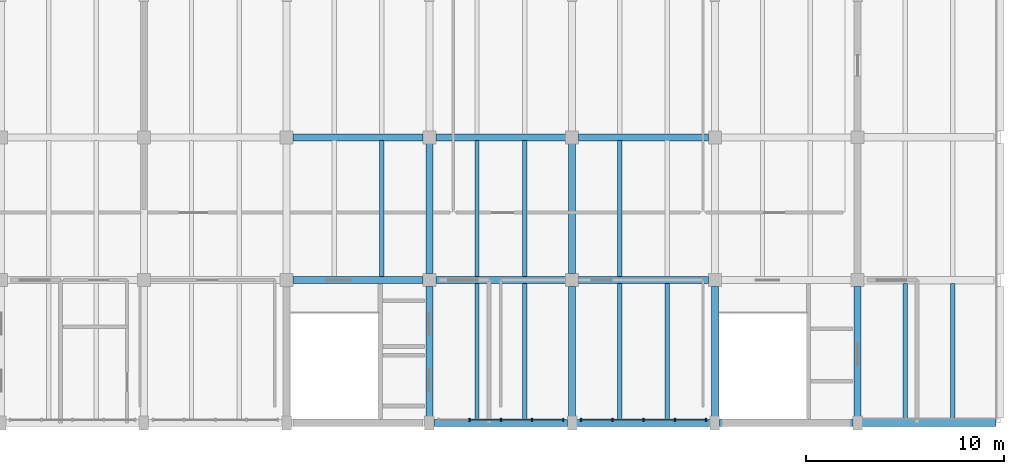
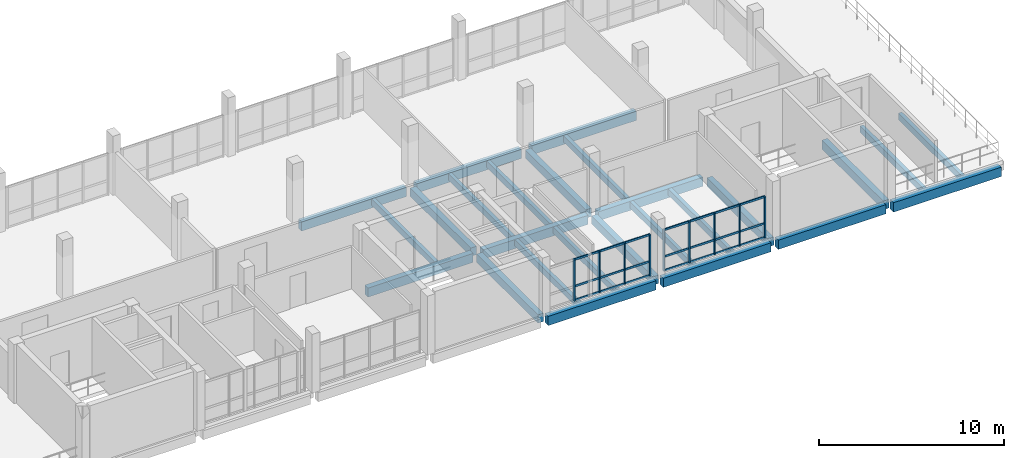
# One storey, part 4 of 10: 30 members, 26 beams, 2 elements without a shape of their own.
"""IFC4 building model written with IfcOpenShell, lengths in metres."""

from ifc_helpers import new_model, si_unit, direction, frame, origin, origin_2d, place, context, subcontext, project, spatial, rectangle, extrude, material, material_profile, profile_set, type_object, element, aggregate, save


model = new_model("IFC4")

# Units and contexts
model_context = context("Model", 3, precision=1e-05, world=origin(), true_north=direction((0.0, 1.0)))
body_context = subcontext(model_context, "Body", "Model", "MODEL_VIEW")
ifc_project = project(units=[si_unit("LENGTHUNIT", "METRE"), si_unit("AREAUNIT", "SQUARE_METRE"), si_unit("VOLUMEUNIT", "CUBIC_METRE"), si_unit("PLANEANGLEUNIT", "RADIAN"), si_unit("MASSUNIT", "GRAM", prefix="KILO")], contexts=[model_context])

# Site, building, storey
site_placement = place(None, origin())
site = spatial("IfcSite", under=ifc_project, at=site_placement, CompositionType="ELEMENT")
building_placement = place(site_placement, origin())
building = spatial("IfcBuilding", under=site, at=building_placement, Name="Qiaolan Assembly House", CompositionType="ELEMENT")
storey_placement = place(building_placement, frame((0.0, 0.0, 30.300048828125)))
storey = spatial("IfcBuildingStorey", under=building, at=storey_placement, Name="L07", CompositionType="ELEMENT", Elevation=30.300048828125)

# Beams
ifc_material_1 = material(Name="Concrete C40/50", Category="concrete")
ifc_material_profile_1 = material_profile(ifc_material_1, rectangle(XDim=0.35009765625, YDim=0.550048828125, at=origin_2d()), Name="RCB 350x550")
ifc_profile_set_1 = profile_set([ifc_material_profile_1], Name="Concrete C40/50")
beam_type_1 = type_object("IfcBeamType", Name="BM-RC-350x550", PredefinedType="BEAM", material=ifc_profile_set_1)
beam_1_placement = place(storey_placement, frame((72.0, 93.830078125, -0.505126953125), z_axis=(0.0, 1.0, 0.0), x_axis=(-1.0, 0.0, 0.0)))
element("IfcBeam", 1, at=beam_1_placement, inside=storey, type_object=beam_type_1, Name="GB-09 beam BMY-NW-L07-04-00", PredefinedType="BEAM", context=body_context, shape_type="SweptSolid", body=[
    extrude(rectangle(XDim=0.35009765625, YDim=0.550048828125, at=origin_2d()), origin(), (0.0, 0.0, 1.0), 6.64990234375),
])
beam_2_placement = place(storey_placement, frame((72.0, 101.1201171875, -0.505126953125), z_axis=(0.0, 1.0, 0.0), x_axis=(-1.0, 0.0, 0.0)))
element("IfcBeam", 2, at=beam_2_placement, inside=storey, type_object=beam_type_1, Name="GB-09 beam BMY-NW-L07-04-01", PredefinedType="BEAM", context=body_context, shape_type="SweptSolid", body=[
    extrude(rectangle(XDim=0.35009765625, YDim=0.550048828125, at=origin_2d()), origin(), (0.0, 0.0, 1.0), 6.559814453125),
])
beam_3_placement = place(storey_placement, frame((79.199951171875, 93.830078125, -0.505126953125), z_axis=(0.0, 1.0, 0.0), x_axis=(-1.0, 0.0, 0.0)))
element("IfcBeam", 3, at=beam_3_placement, inside=storey, type_object=beam_type_1, Name="GB-09 beam BMY-NW-L07-05-00", PredefinedType="BEAM", context=body_context, shape_type="SweptSolid", body=[
    extrude(rectangle(XDim=0.35009765625, YDim=0.550048828125, at=origin_2d()), origin(), (0.0, 0.0, 1.0), 6.64990234375),
])
beam_4_placement = place(storey_placement, frame((79.199951171875, 101.1201171875, -0.505126953125), z_axis=(0.0, 1.0, 0.0), x_axis=(-1.0, 0.0, 0.0)))
element("IfcBeam", 4, at=beam_4_placement, inside=storey, type_object=beam_type_1, Name="GB-09 beam BMY-NW-L07-05-01", PredefinedType="BEAM", context=body_context, shape_type="SweptSolid", body=[
    extrude(rectangle(XDim=0.35009765625, YDim=0.550048828125, at=origin_2d()), origin(), (0.0, 0.0, 1.0), 6.559814453125),
])
beam_5_placement = place(storey_placement, frame((86.39990234375, 93.830078125, -0.505126953125), z_axis=(0.0, 1.0, 0.0), x_axis=(-1.0, 0.0, 0.0)))
element("IfcBeam", 5, at=beam_5_placement, inside=storey, type_object=beam_type_1, Name="GB-09 beam BMY-NW-L07-06-00", PredefinedType="BEAM", context=body_context, shape_type="SweptSolid", body=[
    extrude(rectangle(XDim=0.35009765625, YDim=0.550048828125, at=origin_2d()), origin(), (0.0, 0.0, 1.0), 6.64990234375),
])
ifc_material_profile_2 = material_profile(ifc_material_1, rectangle(XDim=0.35009765625, YDim=0.60009765625, at=origin_2d()), Name="RCB 350x600")
ifc_profile_set_2 = profile_set([ifc_material_profile_2], Name="Concrete C40/50")
beam_type_2 = type_object("IfcBeamType", Name="BM-RC-350x600", PredefinedType="BEAM", material=ifc_profile_set_2)
for number, where, z_axis, x_axis, name in (
    (6, (72.22998046875, 93.60009765625, -0.530029296875), (1.0, 0.0, 0.0), (0.0, 1.0, 0.0), "GB-08 beam BMX-NW-L07-04-00"),
    (7, (79.429931640625, 93.60009765625, -0.530029296875), (1.0, 0.0, 0.0), (0.0, 1.0, 0.0), "GB-08 beam BMX-NW-L07-05-00"),
):
    element("IfcBeam", number, at=place(storey_placement, frame(where, z_axis=z_axis, x_axis=x_axis)), inside=storey, type_object=beam_type_2, Name=name, PredefinedType="BEAM", context=body_context, shape_type="SweptSolid", body=[
        extrude(rectangle(XDim=0.35009765625, YDim=0.60009765625, at=origin_2d()), origin(), (0.0, 0.0, 1.0), 6.739990234375),
    ])
beam_6_placement = place(storey_placement, frame((86.6298828125, 93.60009765625, -0.530029296875), z_axis=(1.0, 0.0, 0.0), x_axis=(0.0, 1.0, 0.0)))
element("IfcBeam", 8, at=beam_6_placement, inside=storey, type_object=beam_type_2, Name="GB-08 beam BMX-NW-L07-06-00", PredefinedType="BEAM", context=body_context, shape_type="SweptSolid", body=[
    extrude(rectangle(XDim=0.35009765625, YDim=0.60009765625, at=origin_2d()), origin(), (0.0, 0.0, 1.0), 6.740234375),
])
for number, where, z_axis, x_axis, name in (
    (9, (65.1201171875, 100.800048828125, -0.530029296875), (1.0, 0.0, 0.0), (0.0, 1.0, 0.0), "GB-08 beam BMX-NW-L07-03-01"),
    (10, (72.320068359375, 100.800048828125, -0.530029296875), (1.0, 0.0, 0.0), (0.0, 1.0, 0.0), "GB-08 beam BMX-NW-L07-04-01"),
):
    element("IfcBeam", number, at=place(storey_placement, frame(where, z_axis=z_axis, x_axis=x_axis)), inside=storey, type_object=beam_type_2, Name=name, PredefinedType="BEAM", context=body_context, shape_type="SweptSolid", body=[
        extrude(rectangle(XDim=0.35009765625, YDim=0.60009765625, at=origin_2d()), origin(), (0.0, 0.0, 1.0), 6.559814453125),
    ])
beam_7_placement = place(storey_placement, frame((79.52001953125, 100.800048828125, -0.530029296875), z_axis=(1.0, 0.0, 0.0), x_axis=(0.0, 1.0, 0.0)))
element("IfcBeam", 11, at=beam_7_placement, inside=storey, type_object=beam_type_2, Name="GB-08 beam BMX-NW-L07-05-01", PredefinedType="BEAM", context=body_context, shape_type="SweptSolid", body=[
    extrude(rectangle(XDim=0.35009765625, YDim=0.60009765625, at=origin_2d()), origin(), (0.0, 0.0, 1.0), 6.56005859375),
])
for number, where, z_axis, x_axis, name in (
    (12, (65.1201171875, 108.0, -0.530029296875), (1.0, 0.0, 0.0), (0.0, 1.0, 0.0), "GB-08 beam BMX-NW-L07-03-02"),
    (13, (72.320068359375, 108.0, -0.530029296875), (1.0, 0.0, 0.0), (0.0, 1.0, 0.0), "GB-08 beam BMX-NW-L07-04-02"),
):
    element("IfcBeam", number, at=place(storey_placement, frame(where, z_axis=z_axis, x_axis=x_axis)), inside=storey, type_object=beam_type_2, Name=name, PredefinedType="BEAM", context=body_context, shape_type="SweptSolid", body=[
        extrude(rectangle(XDim=0.35009765625, YDim=0.60009765625, at=origin_2d()), origin(), (0.0, 0.0, 1.0), 6.559814453125),
    ])
beam_8_placement = place(storey_placement, frame((79.52001953125, 108.0, -0.530029296875), z_axis=(1.0, 0.0, 0.0), x_axis=(0.0, 1.0, 0.0)))
element("IfcBeam", 14, at=beam_8_placement, inside=storey, type_object=beam_type_2, Name="GB-08 beam BMX-NW-L07-05-02", PredefinedType="BEAM", context=body_context, shape_type="SweptSolid", body=[
    extrude(rectangle(XDim=0.35009765625, YDim=0.60009765625, at=origin_2d()), origin(), (0.0, 0.0, 1.0), 6.56005859375),
])
ifc_material_profile_3 = material_profile(ifc_material_1, rectangle(XDim=0.360107421875, YDim=0.580078125, at=origin_2d()), Name="RCB 360x580")
ifc_profile_set_3 = profile_set([ifc_material_profile_3], Name="Concrete C40/50")
beam_type_3 = type_object("IfcBeamType", Name="BM-RC-360x580", PredefinedType="BEAM", material=ifc_profile_set_3)
beam_9_placement = place(storey_placement, frame((93.60009765625, 93.830078125, -0.550048828125), z_axis=(0.0, 1.0, 0.0), x_axis=(-1.0, 0.0, 0.0)))
element("IfcBeam", 15, at=beam_9_placement, inside=storey, type_object=beam_type_3, Name="GB-16 beam BMY-NWTE-L07-00-00", PredefinedType="BEAM", context=body_context, shape_type="SweptSolid", body=[
    extrude(rectangle(XDim=0.360107421875, YDim=0.580078125, at=origin_2d()), origin(), (0.0, 0.0, 1.0), 6.655029296875),
])
ifc_material_profile_4 = material_profile(ifc_material_1, rectangle(XDim=0.3798828125, YDim=0.6201171875, at=origin_2d()), Name="RCB 380x620")
ifc_profile_set_4 = profile_set([ifc_material_profile_4], Name="Concrete C40/50")
beam_type_4 = type_object("IfcBeamType", Name="BM-RC-380x620", PredefinedType="BEAM", material=ifc_profile_set_4)
beam_10_placement = place(storey_placement, frame((93.830078125, 93.60009765625, -0.570068359375), z_axis=(1.0, 0.0, 0.0), x_axis=(0.0, 1.0, 0.0)))
element("IfcBeam", 16, at=beam_10_placement, inside=storey, type_object=beam_type_4, Name="GB-13 beam BMX-NWTE-L07-00-00", PredefinedType="BEAM", context=body_context, shape_type="SweptSolid", body=[
    extrude(rectangle(XDim=0.3798828125, YDim=0.6201171875, at=origin_2d()), origin(), (0.0, 0.0, 1.0), 6.739990234375),
])

# Curtain wall, members
ifc_material_2 = material(Name="Anodised bronze aluminium", Category="aluminium")
curtain_wall_type = type_object("IfcCurtainWallType", Name="CW-ATTIC-390", PredefinedType="NOTDEFINED", material=ifc_material_2)
curtain_wall_1_placement = place(storey_placement, origin())
curtain_wall_1 = element("IfcCurtainWall", 17, at=curtain_wall_1_placement, inside=storey, type_object=curtain_wall_type, Name="CW-04 NW Attic South glazed colonnade bay 5", PredefinedType="NOTDEFINED")
ifc_material_profile_5 = material_profile(ifc_material_2, rectangle(XDim=0.073974609375, YDim=0.1650390625, at=origin_2d()), Name="MUL 74x165")
ifc_profile_set_5 = profile_set([ifc_material_profile_5], Name="Anodised bronze aluminium")
member_type_1 = type_object("IfcMemberType", Name="CW-ATTIC-390-MUL", PredefinedType="MULLION", material=ifc_profile_set_5)
member_1_placement = place(storey_placement, frame((74.02490234375, 93.75, 0.0), z_axis=(0.0, 0.0, 1.0), x_axis=(1.0, 0.0, 0.0)))
member_1 = element("IfcMember", 18, at=member_1_placement, type_object=member_type_1, Name="ML-05 mullion CW-NW-ATTIC-S-04-2", PredefinedType="MULLION", context=body_context, shape_type="SweptSolid", body=[
    extrude(rectangle(XDim=0.073974609375, YDim=0.1650390625, at=origin_2d()), origin(), (0.0, 0.0, 1.0), 2.739990234375),
])
member_2_placement = place(storey_placement, frame((75.60009765625, 93.75, 0.0), z_axis=(0.0, 0.0, 1.0), x_axis=(1.0, 0.0, 0.0)))
member_2 = element("IfcMember", 19, at=member_2_placement, type_object=member_type_1, Name="ML-05 mullion CW-NW-ATTIC-S-04-3", PredefinedType="MULLION", context=body_context, shape_type="SweptSolid", body=[
    extrude(rectangle(XDim=0.073974609375, YDim=0.1650390625, at=origin_2d()), origin(), (0.0, 0.0, 1.0), 2.739990234375),
])
member_3_placement = place(storey_placement, frame((77.175048828125, 93.75, 0.0), z_axis=(0.0, 0.0, 1.0), x_axis=(1.0, 0.0, 0.0)))
member_3 = element("IfcMember", 20, at=member_3_placement, type_object=member_type_1, Name="ML-05 mullion CW-NW-ATTIC-S-04-4", PredefinedType="MULLION", context=body_context, shape_type="SweptSolid", body=[
    extrude(rectangle(XDim=0.073974609375, YDim=0.1650390625, at=origin_2d()), origin(), (0.0, 0.0, 1.0), 2.739990234375),
])
member_4_placement = place(storey_placement, frame((78.75, 93.75, 0.0), z_axis=(0.0, 0.0, 1.0), x_axis=(1.0, 0.0, 0.0)))
member_4 = element("IfcMember", 21, at=member_4_placement, type_object=member_type_1, Name="ML-05 mullion CW-NW-ATTIC-S-04-5", PredefinedType="MULLION", context=body_context, shape_type="SweptSolid", body=[
    extrude(rectangle(XDim=0.073974609375, YDim=0.1650390625, at=origin_2d()), origin(), (0.0, 0.0, 1.0), 2.739990234375),
])

curtain_wall_2_placement = place(storey_placement, origin())
curtain_wall_2 = element("IfcCurtainWall", 22, at=curtain_wall_2_placement, inside=storey, type_object=curtain_wall_type, Name="CW-04 NW Attic South glazed colonnade bay 6", PredefinedType="NOTDEFINED")
member_5_placement = place(storey_placement, frame((79.64990234375, 93.75, 0.0), z_axis=(0.0, 0.0, 1.0), x_axis=(1.0, 0.0, 0.0)))
member_5 = element("IfcMember", 23, at=member_5_placement, type_object=member_type_1, Name="ML-05 mullion CW-NW-ATTIC-S-05-1", PredefinedType="MULLION", context=body_context, shape_type="SweptSolid", body=[
    extrude(rectangle(XDim=0.073974609375, YDim=0.1650390625, at=origin_2d()), origin(), (0.0, 0.0, 1.0), 2.739990234375),
])
member_6_placement = place(storey_placement, frame((81.22509765625, 93.75, 0.0), z_axis=(0.0, 0.0, 1.0), x_axis=(1.0, 0.0, 0.0)))
member_6 = element("IfcMember", 24, at=member_6_placement, type_object=member_type_1, Name="ML-05 mullion CW-NW-ATTIC-S-05-2", PredefinedType="MULLION", context=body_context, shape_type="SweptSolid", body=[
    extrude(rectangle(XDim=0.073974609375, YDim=0.1650390625, at=origin_2d()), origin(), (0.0, 0.0, 1.0), 2.739990234375),
])
member_7_placement = place(storey_placement, frame((82.800048828125, 93.75, 0.0), z_axis=(0.0, 0.0, 1.0), x_axis=(1.0, 0.0, 0.0)))
member_7 = element("IfcMember", 25, at=member_7_placement, type_object=member_type_1, Name="ML-05 mullion CW-NW-ATTIC-S-05-3", PredefinedType="MULLION", context=body_context, shape_type="SweptSolid", body=[
    extrude(rectangle(XDim=0.073974609375, YDim=0.1650390625, at=origin_2d()), origin(), (0.0, 0.0, 1.0), 2.739990234375),
])
member_8_placement = place(storey_placement, frame((84.375, 93.75, 0.0), z_axis=(0.0, 0.0, 1.0), x_axis=(1.0, 0.0, 0.0)))
member_8 = element("IfcMember", 26, at=member_8_placement, type_object=member_type_1, Name="ML-05 mullion CW-NW-ATTIC-S-05-4", PredefinedType="MULLION", context=body_context, shape_type="SweptSolid", body=[
    extrude(rectangle(XDim=0.073974609375, YDim=0.1650390625, at=origin_2d()), origin(), (0.0, 0.0, 1.0), 2.739990234375),
])
member_9_placement = place(storey_placement, frame((85.949951171875, 93.75, 0.0), z_axis=(0.0, 0.0, 1.0), x_axis=(1.0, 0.0, 0.0)))
member_9 = element("IfcMember", 27, at=member_9_placement, type_object=member_type_1, Name="ML-05 mullion CW-NW-ATTIC-S-05-5", PredefinedType="MULLION", context=body_context, shape_type="SweptSolid", body=[
    extrude(rectangle(XDim=0.073974609375, YDim=0.1650390625, at=origin_2d()), origin(), (0.0, 0.0, 1.0), 2.739990234375),
])

# Member
ifc_material_profile_6 = material_profile(ifc_material_2, rectangle(XDim=0.06494140625, YDim=0.1298828125, at=origin_2d()), Name="TRN 65x130")
ifc_profile_set_6 = profile_set([ifc_material_profile_6], Name="Anodised bronze aluminium")
member_type_2 = type_object("IfcMemberType", Name="CW-ATTIC-390-TRN", PredefinedType="USERDEFINED", material=ifc_profile_set_6)
member_10_placement = place(storey_placement, frame((74.06201171875, 93.75, 0.030029296875), z_axis=(1.0, 0.0, 0.0), x_axis=(0.0, 1.0, 0.0)))
member_10 = element("IfcMember", 28, at=member_10_placement, type_object=member_type_2, Name="TR-05 transom CW-NW-ATTIC-S-04-2-1", ObjectType="TRANSOM", PredefinedType="USERDEFINED", context=body_context, shape_type="SweptSolid", body=[
    extrude(rectangle(XDim=0.06494140625, YDim=0.1298828125, at=origin_2d()), origin(), (0.0, 0.0, 1.0), 1.5009765625),
])

member_11_placement = place(storey_placement, frame((74.06201171875, 93.75, 0.949951171875), z_axis=(1.0, 0.0, 0.0), x_axis=(0.0, 1.0, 0.0)))
member_11 = element("IfcMember", 29, at=member_11_placement, type_object=member_type_2, Name="TR-05 transom CW-NW-ATTIC-S-04-2-2", ObjectType="TRANSOM", PredefinedType="USERDEFINED", context=body_context, shape_type="SweptSolid", body=[
    extrude(rectangle(XDim=0.06494140625, YDim=0.1298828125, at=origin_2d()), origin(), (0.0, 0.0, 1.0), 1.5009765625),
])

member_12_placement = place(storey_placement, frame((74.06201171875, 93.75, 2.7099609375), z_axis=(1.0, 0.0, 0.0), x_axis=(0.0, 1.0, 0.0)))
member_12 = element("IfcMember", 30, at=member_12_placement, type_object=member_type_2, Name="TR-05 transom CW-NW-ATTIC-S-04-2-3", ObjectType="TRANSOM", PredefinedType="USERDEFINED", context=body_context, shape_type="SweptSolid", body=[
    extrude(rectangle(XDim=0.06494140625, YDim=0.1298828125, at=origin_2d()), origin(), (0.0, 0.0, 1.0), 1.5009765625),
])

member_13_placement = place(storey_placement, frame((75.636962890625, 93.75, 0.030029296875), z_axis=(1.0, 0.0, 0.0), x_axis=(0.0, 1.0, 0.0)))
member_13 = element("IfcMember", 31, at=member_13_placement, type_object=member_type_2, Name="TR-05 transom CW-NW-ATTIC-S-04-3-1", ObjectType="TRANSOM", PredefinedType="USERDEFINED", context=body_context, shape_type="SweptSolid", body=[
    extrude(rectangle(XDim=0.06494140625, YDim=0.1298828125, at=origin_2d()), origin(), (0.0, 0.0, 1.0), 1.5009765625),
])

member_14_placement = place(storey_placement, frame((75.636962890625, 93.75, 0.949951171875), z_axis=(1.0, 0.0, 0.0), x_axis=(0.0, 1.0, 0.0)))
member_14 = element("IfcMember", 32, at=member_14_placement, type_object=member_type_2, Name="TR-05 transom CW-NW-ATTIC-S-04-3-2", ObjectType="TRANSOM", PredefinedType="USERDEFINED", context=body_context, shape_type="SweptSolid", body=[
    extrude(rectangle(XDim=0.06494140625, YDim=0.1298828125, at=origin_2d()), origin(), (0.0, 0.0, 1.0), 1.5009765625),
])

member_15_placement = place(storey_placement, frame((75.636962890625, 93.75, 2.7099609375), z_axis=(1.0, 0.0, 0.0), x_axis=(0.0, 1.0, 0.0)))
member_15 = element("IfcMember", 33, at=member_15_placement, type_object=member_type_2, Name="TR-05 transom CW-NW-ATTIC-S-04-3-3", ObjectType="TRANSOM", PredefinedType="USERDEFINED", context=body_context, shape_type="SweptSolid", body=[
    extrude(rectangle(XDim=0.06494140625, YDim=0.1298828125, at=origin_2d()), origin(), (0.0, 0.0, 1.0), 1.5009765625),
])

member_16_placement = place(storey_placement, frame((77.2119140625, 93.75, 0.030029296875), z_axis=(1.0, 0.0, 0.0), x_axis=(0.0, 1.0, 0.0)))
member_16 = element("IfcMember", 34, at=member_16_placement, type_object=member_type_2, Name="TR-05 transom CW-NW-ATTIC-S-04-4-1", ObjectType="TRANSOM", PredefinedType="USERDEFINED", context=body_context, shape_type="SweptSolid", body=[
    extrude(rectangle(XDim=0.06494140625, YDim=0.1298828125, at=origin_2d()), origin(), (0.0, 0.0, 1.0), 1.5009765625),
])

member_17_placement = place(storey_placement, frame((77.2119140625, 93.75, 0.949951171875), z_axis=(1.0, 0.0, 0.0), x_axis=(0.0, 1.0, 0.0)))
member_17 = element("IfcMember", 35, at=member_17_placement, type_object=member_type_2, Name="TR-05 transom CW-NW-ATTIC-S-04-4-2", ObjectType="TRANSOM", PredefinedType="USERDEFINED", context=body_context, shape_type="SweptSolid", body=[
    extrude(rectangle(XDim=0.06494140625, YDim=0.1298828125, at=origin_2d()), origin(), (0.0, 0.0, 1.0), 1.5009765625),
])

member_18_placement = place(storey_placement, frame((77.2119140625, 93.75, 2.7099609375), z_axis=(1.0, 0.0, 0.0), x_axis=(0.0, 1.0, 0.0)))
member_18 = element("IfcMember", 36, at=member_18_placement, type_object=member_type_2, Name="TR-05 transom CW-NW-ATTIC-S-04-4-3", ObjectType="TRANSOM", PredefinedType="USERDEFINED", context=body_context, shape_type="SweptSolid", body=[
    extrude(rectangle(XDim=0.06494140625, YDim=0.1298828125, at=origin_2d()), origin(), (0.0, 0.0, 1.0), 1.5009765625),
])

aggregate(curtain_wall_1, [member_1, member_2, member_3, member_4, member_10, member_11, member_12, member_13, member_14, member_15, member_16, member_17, member_18])

member_19_placement = place(storey_placement, frame((79.68701171875, 93.75, 0.030029296875), z_axis=(1.0, 0.0, 0.0), x_axis=(0.0, 1.0, 0.0)))
member_19 = element("IfcMember", 37, at=member_19_placement, type_object=member_type_2, Name="TR-05 transom CW-NW-ATTIC-S-05-1-1", ObjectType="TRANSOM", PredefinedType="USERDEFINED", context=body_context, shape_type="SweptSolid", body=[
    extrude(rectangle(XDim=0.06494140625, YDim=0.1298828125, at=origin_2d()), origin(), (0.0, 0.0, 1.0), 1.5009765625),
])

member_20_placement = place(storey_placement, frame((79.68701171875, 93.75, 0.949951171875), z_axis=(1.0, 0.0, 0.0), x_axis=(0.0, 1.0, 0.0)))
member_20 = element("IfcMember", 38, at=member_20_placement, type_object=member_type_2, Name="TR-05 transom CW-NW-ATTIC-S-05-1-2", ObjectType="TRANSOM", PredefinedType="USERDEFINED", context=body_context, shape_type="SweptSolid", body=[
    extrude(rectangle(XDim=0.06494140625, YDim=0.1298828125, at=origin_2d()), origin(), (0.0, 0.0, 1.0), 1.5009765625),
])

member_21_placement = place(storey_placement, frame((79.68701171875, 93.75, 2.7099609375), z_axis=(1.0, 0.0, 0.0), x_axis=(0.0, 1.0, 0.0)))
member_21 = element("IfcMember", 39, at=member_21_placement, type_object=member_type_2, Name="TR-05 transom CW-NW-ATTIC-S-05-1-3", ObjectType="TRANSOM", PredefinedType="USERDEFINED", context=body_context, shape_type="SweptSolid", body=[
    extrude(rectangle(XDim=0.06494140625, YDim=0.1298828125, at=origin_2d()), origin(), (0.0, 0.0, 1.0), 1.5009765625),
])

member_22_placement = place(storey_placement, frame((81.261962890625, 93.75, 0.030029296875), z_axis=(1.0, 0.0, 0.0), x_axis=(0.0, 1.0, 0.0)))
member_22 = element("IfcMember", 40, at=member_22_placement, type_object=member_type_2, Name="TR-05 transom CW-NW-ATTIC-S-05-2-1", ObjectType="TRANSOM", PredefinedType="USERDEFINED", context=body_context, shape_type="SweptSolid", body=[
    extrude(rectangle(XDim=0.06494140625, YDim=0.1298828125, at=origin_2d()), origin(), (0.0, 0.0, 1.0), 1.5009765625),
])

member_23_placement = place(storey_placement, frame((81.261962890625, 93.75, 0.949951171875), z_axis=(1.0, 0.0, 0.0), x_axis=(0.0, 1.0, 0.0)))
member_23 = element("IfcMember", 41, at=member_23_placement, type_object=member_type_2, Name="TR-05 transom CW-NW-ATTIC-S-05-2-2", ObjectType="TRANSOM", PredefinedType="USERDEFINED", context=body_context, shape_type="SweptSolid", body=[
    extrude(rectangle(XDim=0.06494140625, YDim=0.1298828125, at=origin_2d()), origin(), (0.0, 0.0, 1.0), 1.5009765625),
])

member_24_placement = place(storey_placement, frame((81.261962890625, 93.75, 2.7099609375), z_axis=(1.0, 0.0, 0.0), x_axis=(0.0, 1.0, 0.0)))
member_24 = element("IfcMember", 42, at=member_24_placement, type_object=member_type_2, Name="TR-05 transom CW-NW-ATTIC-S-05-2-3", ObjectType="TRANSOM", PredefinedType="USERDEFINED", context=body_context, shape_type="SweptSolid", body=[
    extrude(rectangle(XDim=0.06494140625, YDim=0.1298828125, at=origin_2d()), origin(), (0.0, 0.0, 1.0), 1.5009765625),
])

member_25_placement = place(storey_placement, frame((82.8369140625, 93.75, 0.030029296875), z_axis=(1.0, 0.0, 0.0), x_axis=(0.0, 1.0, 0.0)))
member_25 = element("IfcMember", 43, at=member_25_placement, type_object=member_type_2, Name="TR-05 transom CW-NW-ATTIC-S-05-3-1", ObjectType="TRANSOM", PredefinedType="USERDEFINED", context=body_context, shape_type="SweptSolid", body=[
    extrude(rectangle(XDim=0.06494140625, YDim=0.1298828125, at=origin_2d()), origin(), (0.0, 0.0, 1.0), 1.5009765625),
])

member_26_placement = place(storey_placement, frame((82.8369140625, 93.75, 0.949951171875), z_axis=(1.0, 0.0, 0.0), x_axis=(0.0, 1.0, 0.0)))
member_26 = element("IfcMember", 44, at=member_26_placement, type_object=member_type_2, Name="TR-05 transom CW-NW-ATTIC-S-05-3-2", ObjectType="TRANSOM", PredefinedType="USERDEFINED", context=body_context, shape_type="SweptSolid", body=[
    extrude(rectangle(XDim=0.06494140625, YDim=0.1298828125, at=origin_2d()), origin(), (0.0, 0.0, 1.0), 1.5009765625),
])

member_27_placement = place(storey_placement, frame((82.8369140625, 93.75, 2.7099609375), z_axis=(1.0, 0.0, 0.0), x_axis=(0.0, 1.0, 0.0)))
member_27 = element("IfcMember", 45, at=member_27_placement, type_object=member_type_2, Name="TR-05 transom CW-NW-ATTIC-S-05-3-3", ObjectType="TRANSOM", PredefinedType="USERDEFINED", context=body_context, shape_type="SweptSolid", body=[
    extrude(rectangle(XDim=0.06494140625, YDim=0.1298828125, at=origin_2d()), origin(), (0.0, 0.0, 1.0), 1.5009765625),
])

member_28_placement = place(storey_placement, frame((84.412109375, 93.75, 0.030029296875), z_axis=(1.0, 0.0, 0.0), x_axis=(0.0, 1.0, 0.0)))
member_28 = element("IfcMember", 46, at=member_28_placement, type_object=member_type_2, Name="TR-05 transom CW-NW-ATTIC-S-05-4-1", ObjectType="TRANSOM", PredefinedType="USERDEFINED", context=body_context, shape_type="SweptSolid", body=[
    extrude(rectangle(XDim=0.06494140625, YDim=0.1298828125, at=origin_2d()), origin(), (0.0, 0.0, 1.0), 1.5009765625),
])

member_29_placement = place(storey_placement, frame((84.412109375, 93.75, 0.949951171875), z_axis=(1.0, 0.0, 0.0), x_axis=(0.0, 1.0, 0.0)))
member_29 = element("IfcMember", 47, at=member_29_placement, type_object=member_type_2, Name="TR-05 transom CW-NW-ATTIC-S-05-4-2", ObjectType="TRANSOM", PredefinedType="USERDEFINED", context=body_context, shape_type="SweptSolid", body=[
    extrude(rectangle(XDim=0.06494140625, YDim=0.1298828125, at=origin_2d()), origin(), (0.0, 0.0, 1.0), 1.5009765625),
])

member_30_placement = place(storey_placement, frame((84.412109375, 93.75, 2.7099609375), z_axis=(1.0, 0.0, 0.0), x_axis=(0.0, 1.0, 0.0)))
member_30 = element("IfcMember", 48, at=member_30_placement, type_object=member_type_2, Name="TR-05 transom CW-NW-ATTIC-S-05-4-3", ObjectType="TRANSOM", PredefinedType="USERDEFINED", context=body_context, shape_type="SweptSolid", body=[
    extrude(rectangle(XDim=0.06494140625, YDim=0.1298828125, at=origin_2d()), origin(), (0.0, 0.0, 1.0), 1.5009765625),
])

aggregate(curtain_wall_2, [member_5, member_6, member_7, member_8, member_9, member_19, member_20, member_21, member_22, member_23, member_24, member_25, member_26, member_27, member_28, member_29, member_30])

# Beams
ifc_material_profile_7 = material_profile(ifc_material_1, rectangle(XDim=0.219970703125, YDim=0.419921875, at=origin_2d()), Name="RCB 220x420")
ifc_profile_set_7 = profile_set([ifc_material_profile_7], Name="Concrete C40/50")
beam_type_5 = type_object("IfcBeamType", Name="JST-RC-220x420", PredefinedType="JOIST", material=ifc_profile_set_7)
for number, where, z_axis, x_axis, name in (
    (49, (69.60009765625, 100.968994140625, -0.43994140625), (0.0, 1.0, 0.0), (-1.0, 0.0, 0.0), "RJ-03 beam JST-NW-L07-03-01-2"),
    (50, (74.39990234375, 93.76904296875, -0.43994140625), (0.0, 1.0, 0.0), (-1.0, 0.0, 0.0), "RJ-03 beam JST-NW-L07-04-00-1"),
    (51, (76.800048828125, 93.76904296875, -0.43994140625), (0.0, 1.0, 0.0), (-1.0, 0.0, 0.0), "RJ-03 beam JST-NW-L07-04-00-2"),
    (52, (74.39990234375, 100.968994140625, -0.43994140625), (0.0, 1.0, 0.0), (-1.0, 0.0, 0.0), "RJ-03 beam JST-NW-L07-04-01-1"),
    (53, (76.800048828125, 100.968994140625, -0.43994140625), (0.0, 1.0, 0.0), (-1.0, 0.0, 0.0), "RJ-03 beam JST-NW-L07-04-01-2"),
    (54, (81.60009765625, 93.76904296875, -0.43994140625), (0.0, 1.0, 0.0), (-1.0, 0.0, 0.0), "RJ-03 beam JST-NW-L07-05-00-1"),
    (55, (84.0, 93.76904296875, -0.43994140625), (0.0, 1.0, 0.0), (-1.0, 0.0, 0.0), "RJ-03 beam JST-NW-L07-05-00-2"),
    (56, (81.60009765625, 100.968994140625, -0.43994140625), (0.0, 1.0, 0.0), (-1.0, 0.0, 0.0), "RJ-03 beam JST-NW-L07-05-01-1"),
):
    element("IfcBeam", number, at=place(storey_placement, frame(where, z_axis=z_axis, x_axis=x_axis)), inside=storey, type_object=beam_type_5, Name=name, PredefinedType="JOIST", context=body_context, shape_type="SweptSolid", body=[
        extrude(rectangle(XDim=0.219970703125, YDim=0.419921875, at=origin_2d()), origin(), (0.0, 0.0, 1.0), 6.862060546875),
    ])
ifc_material_profile_8 = material_profile(ifc_material_1, rectangle(XDim=0.22509765625, YDim=0.425048828125, at=origin_2d()), Name="RCB 225x425")
ifc_profile_set_8 = profile_set([ifc_material_profile_8], Name="Concrete C40/50")
beam_type_6 = type_object("IfcBeamType", Name="JST-RC-225x425", PredefinedType="JOIST", material=ifc_profile_set_8)
for number, where, z_axis, x_axis, name in (
    (57, (96.0, 93.783935546875, -0.47265625), (0.0, 1.0, 0.0), (-1.0, 0.0, 0.0), "RJ-06 beam JST-NWTE-L07-00-00-1"),
    (58, (98.39990234375, 93.783935546875, -0.47265625), (0.0, 1.0, 0.0), (-1.0, 0.0, 0.0), "RJ-06 beam JST-NWTE-L07-00-00-2"),
):
    element("IfcBeam", number, at=place(storey_placement, frame(where, z_axis=z_axis, x_axis=x_axis)), inside=storey, type_object=beam_type_6, Name=name, PredefinedType="JOIST", context=body_context, shape_type="SweptSolid", body=[
        extrude(rectangle(XDim=0.22509765625, YDim=0.425048828125, at=origin_2d()), origin(), (0.0, 0.0, 1.0), 6.83203125),
    ])

save(model, "model.ifc")
